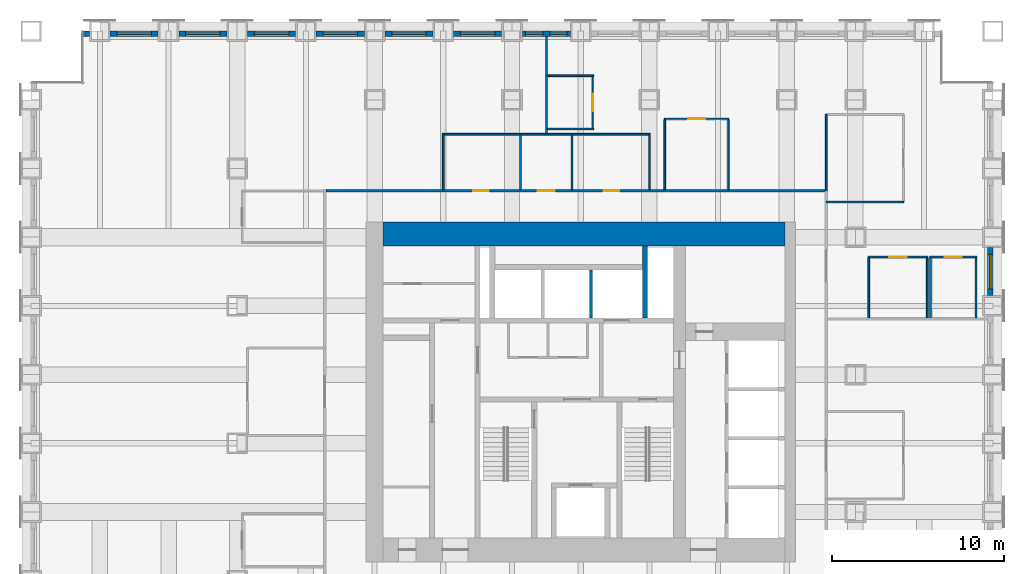
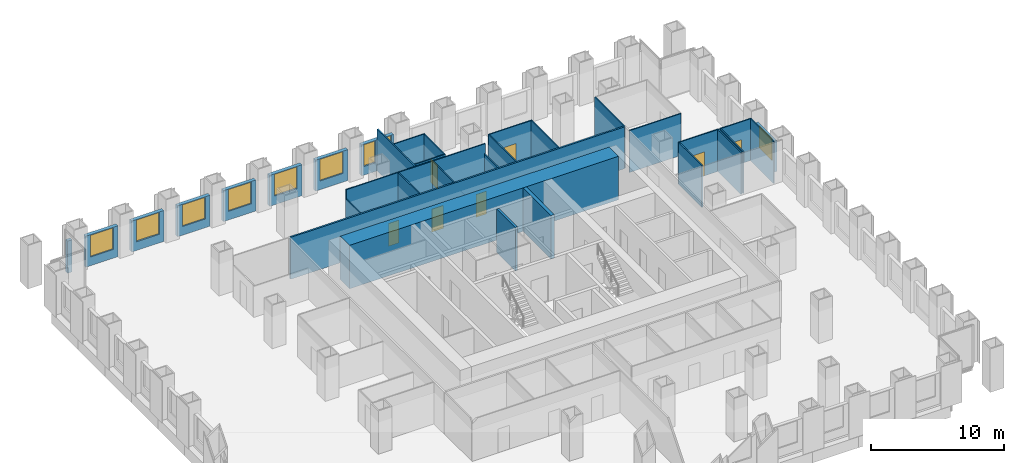
# One storey, part 11 of 14: 33 walls, 9 windows, 7 doors, 16 openings.
"""IFC4 building model written with IfcOpenShell, lengths in metres."""

from ifc_helpers import new_model, si_unit, direction, frame, frame_2d, origin, place, context, subcontext, project, spatial, rectangle, extrude, material, layer, layer_set, type_object, element, fill, save


model = new_model("IFC4")

# Units and contexts
model_context = context("Model", 3, precision=1e-05, world=origin(), true_north=direction((0.0, 1.0)))
body_context = subcontext(model_context, "Body", "Model", "MODEL_VIEW")
ifc_project = project(units=[si_unit("LENGTHUNIT", "METRE"), si_unit("AREAUNIT", "SQUARE_METRE"), si_unit("VOLUMEUNIT", "CUBIC_METRE"), si_unit("PLANEANGLEUNIT", "RADIAN"), si_unit("MASSUNIT", "GRAM", prefix="KILO")], contexts=[model_context])

# Site, building, storey
site_placement = place(None, origin())
site = spatial("IfcSite", under=ifc_project, at=site_placement, CompositionType="ELEMENT")
building_placement = place(site_placement, origin())
building = spatial("IfcBuilding", under=site, at=building_placement, Name="Rimbunsela Tower", CompositionType="ELEMENT")
storey_placement = place(building_placement, frame((0.0, 0.0, 55.0)))
storey = spatial("IfcBuildingStorey", under=building, at=storey_placement, Name="L13", CompositionType="ELEMENT", Elevation=55.0)

# Walls
ifc_material_1 = material(Name="Concrete fc' 80 MPa", Category="concrete")
ifc_layer_1 = layer(ifc_material_1, 0.300048828125)
ifc_layer_set_1 = layer_set([ifc_layer_1], Name="Core internal wall 300")
wall_type_1 = type_object("IfcWallType", Name="Core internal wall 300", PredefinedType="SHEAR", material=ifc_layer_set_1)
wall_1_placement = place(storey_placement, frame((33.75, 31.300048828125, -0.14990234375), z_axis=(0.0, 0.0, 1.0), x_axis=(0.0, 1.0, 0.0)))
element("IfcWall", 1, at=wall_1_placement, inside=storey, type_object=wall_type_1, Name="Riser wall", PredefinedType="SHEAR", context=body_context, shape_type="SweptSolid", body=[
    extrude(rectangle(XDim=4.199951171875, YDim=0.300048828125, at=frame_2d((2.10009765625, 0.0))), origin(), (0.0, 0.0, 1.0), 4.0),
])
ifc_material_2 = material(Name="Concrete fc' 80 MPa", Category="concrete")
ifc_layer_2 = layer(ifc_material_2, 1.39990234375)
ifc_layer_set_2 = layer_set([ifc_layer_2], Name="Core wall 1400")
wall_type_2 = type_object("IfcWallType", Name="Core wall 1400", PredefinedType="SHEAR", material=ifc_layer_set_2)
wall_2_placement = place(storey_placement, frame((18.5, 36.199951171875, -0.14990234375), z_axis=(0.0, 0.0, 1.0), x_axis=(1.0, 0.0, 0.0)))
element("IfcWall", 2, at=wall_2_placement, inside=storey, type_object=wall_type_2, Name="Core wall north", PredefinedType="SHEAR", context=body_context, shape_type="SweptSolid", body=[
    extrude(rectangle(XDim=23.39990234375, YDim=1.39990234375, at=frame_2d((11.699951171875, 0.0))), origin(), (0.0, 0.0, 1.0), 4.0),
])
ifc_material_3 = material(Name="Concrete blockwork", Category="masonry")
ifc_layer_3 = layer(ifc_material_3, 0.199951171875)
ifc_layer_set_3 = layer_set([ifc_layer_3], Name="Lift shaft wall 200")
wall_type_3 = type_object("IfcWallType", Name="Lift shaft wall 200", PredefinedType="SOLIDWALL", material=ifc_layer_set_3)
wall_3_placement = place(storey_placement, frame((30.60009765625, 31.300048828125, -0.14990234375), z_axis=(0.0, 0.0, 1.0), x_axis=(0.0, 1.0, 0.0)))
element("IfcWall", 3, at=wall_3_placement, inside=storey, type_object=wall_type_3, Name="Lift shaft separation", PredefinedType="SOLIDWALL", context=body_context, shape_type="SweptSolid", body=[
    extrude(rectangle(XDim=2.800048828125, YDim=0.199951171875, at=frame_2d((1.39990234375, 0.0))), origin(), (0.0, 0.0, 1.0), 4.0),
])

# Wall, opening, door
ifc_material_4 = material(Name="Gypsum board on steel studs", Category="steel")
ifc_layer_4 = layer(ifc_material_4, 0.10009765625)
ifc_layer_set_4 = layer_set([ifc_layer_4], Name="Office partition 100")
wall_type_4 = type_object("IfcWallType", Name="Office partition 100", PredefinedType="PARTITIONING", material=ifc_layer_set_4)
wall_4_placement = place(storey_placement, frame((46.72509765625, 34.85009765625, 0.0), z_axis=(0.0, 0.0, 1.0), x_axis=(1.0, 0.0, 0.0)))
wall_4 = element("IfcWall", 4, at=wall_4_placement, inside=storey, type_object=wall_type_4, Name="Office partition", PredefinedType="PARTITIONING", context=body_context, shape_type="SweptSolid", body=[
    extrude(rectangle(XDim=3.5, YDim=0.10009765625, at=frame_2d((1.75, 0.0))), origin(), (0.0, 0.0, 1.0), 3.85009765625),
])
opening_1_placement = place(wall_4_placement, frame((1.25, 0.0, 0.0)))
opening_1 = element("IfcOpeningElement", 5, at=opening_1_placement, cuts=wall_4, Name="Opening D16", PredefinedType="OPENING", context=body_context, shape_type="SweptSolid", body=[
    extrude(rectangle(XDim=1.0, YDim=2.199951171875, at=frame_2d((0.5, 1.10009765625))), frame((0.0, 0.06005859375, 0.0), z_axis=(0.0, -1.0, 0.0), x_axis=(1.0, 0.0, 0.0)), (0.0, 0.0, 1.0), 0.1201171875),
])
ifc_material_5 = material(Name="Timber door", Category="wood")
door_type_1 = type_object("IfcDoorType", Name="Office door 1000", OperationType="SINGLE_SWING_LEFT", PredefinedType="DOOR", material=ifc_material_5)
door_1_placement = place(opening_1_placement, origin())
door_1 = element("IfcDoor", 6, at=door_1_placement, inside=storey, type_object=door_type_1, Name="Office door", OperationType="SINGLE_SWING_LEFT", OverallHeight=2.199951171875, OverallWidth=1.0, PredefinedType="DOOR", context=body_context, shape_type="SweptSolid", body=[
    extrude(rectangle(XDim=1.0, YDim=2.199951171875, at=frame_2d((0.5, 1.10009765625))), frame((0.0, 0.02490234375, 0.0), z_axis=(0.0, -1.0, 0.0), x_axis=(1.0, 0.0, 0.0)), (0.0, 0.0, 1.0), 0.050048828125),
])
fill(opening_1, door_1)

wall_5_placement = place(storey_placement, frame((50.324951171875, 34.85009765625, 0.0), z_axis=(0.0, 0.0, 1.0), x_axis=(1.0, 0.0, 0.0)))
wall_5 = element("IfcWall", 7, at=wall_5_placement, inside=storey, type_object=wall_type_4, Name="Office partition", PredefinedType="PARTITIONING", context=body_context, shape_type="SweptSolid", body=[
    extrude(rectangle(XDim=2.75, YDim=0.10009765625, at=frame_2d((1.375, 0.0))), origin(), (0.0, 0.0, 1.0), 3.85009765625),
])
opening_2_placement = place(wall_5_placement, frame((0.875, 0.0, 0.0)))
opening_2 = element("IfcOpeningElement", 8, at=opening_2_placement, cuts=wall_5, Name="Opening D16", PredefinedType="OPENING", context=body_context, shape_type="SweptSolid", body=[
    extrude(rectangle(XDim=1.0, YDim=2.199951171875, at=frame_2d((0.5, 1.10009765625))), frame((0.0, 0.06005859375, 0.0), z_axis=(0.0, -1.0, 0.0), x_axis=(1.0, 0.0, 0.0)), (0.0, 0.0, 1.0), 0.1201171875),
])
door_2_placement = place(opening_2_placement, origin())
door_2 = element("IfcDoor", 9, at=door_2_placement, inside=storey, type_object=door_type_1, Name="Office door", OperationType="SINGLE_SWING_LEFT", OverallHeight=2.199951171875, OverallWidth=1.0, PredefinedType="DOOR", context=body_context, shape_type="SweptSolid", body=[
    extrude(rectangle(XDim=1.0, YDim=2.199951171875, at=frame_2d((0.5, 1.10009765625))), frame((0.0, 0.02490234375, 0.0), z_axis=(0.0, -1.0, 0.0), x_axis=(1.0, 0.0, 0.0)), (0.0, 0.0, 1.0), 0.050048828125),
])
fill(opening_2, door_2)

# Wall
wall_6_placement = place(storey_placement, frame((28.06005859375, 42.300048828125, 0.0), z_axis=(0.0, 0.0, 1.0), x_axis=(1.0, 0.0, 0.0)))
element("IfcWall", 10, at=wall_6_placement, inside=storey, type_object=wall_type_4, Name="Office partition", PredefinedType="PARTITIONING", context=body_context, shape_type="SweptSolid", body=[
    extrude(rectangle(XDim=2.68994140625, YDim=0.10009765625, at=frame_2d((1.344970703125, 0.0))), origin(), (0.0, 0.0, 1.0), 3.85009765625),
])

# Wall, opening, door
wall_7_placement = place(storey_placement, frame((34.85009765625, 42.89990234375, 0.0), z_axis=(0.0, 0.0, 1.0), x_axis=(1.0, 0.0, 0.0)))
wall_7 = element("IfcWall", 11, at=wall_7_placement, inside=storey, type_object=wall_type_4, Name="Office partition", PredefinedType="PARTITIONING", context=body_context, shape_type="SweptSolid", body=[
    extrude(rectangle(XDim=3.7998046875, YDim=0.10009765625, at=frame_2d((1.89990234375, 0.0))), origin(), (0.0, 0.0, 1.0), 3.85009765625),
])
opening_3_placement = place(wall_7_placement, frame((1.39990234375, 0.0, 0.0)))
opening_3 = element("IfcOpeningElement", 12, at=opening_3_placement, cuts=wall_7, Name="Opening D17", PredefinedType="OPENING", context=body_context, shape_type="SweptSolid", body=[
    extrude(rectangle(XDim=1.0, YDim=2.199951171875, at=frame_2d((0.5, 1.10009765625))), frame((0.0, 0.06005859375, 0.0), z_axis=(0.0, -1.0, 0.0), x_axis=(1.0, 0.0, 0.0)), (0.0, 0.0, 1.0), 0.1201171875),
])
ifc_material_6 = material(Name="Glazed aluminium door", Category="aluminium")
door_type_2 = type_object("IfcDoorType", Name="Meeting room door 1000 glazed", OperationType="SINGLE_SWING_RIGHT", PredefinedType="DOOR", material=ifc_material_6)
door_3_placement = place(opening_3_placement, origin())
door_3 = element("IfcDoor", 13, at=door_3_placement, inside=storey, type_object=door_type_2, Name="Meeting room door", OperationType="SINGLE_SWING_RIGHT", OverallHeight=2.199951171875, OverallWidth=1.0, PredefinedType="DOOR", context=body_context, shape_type="SweptSolid", body=[
    extrude(rectangle(XDim=1.0, YDim=2.199951171875, at=frame_2d((0.5, 1.10009765625))), frame((0.0, 0.02490234375, 0.0), z_axis=(0.0, -1.0, 0.0), x_axis=(1.0, 0.0, 0.0)), (0.0, 0.0, 1.0), 0.050048828125),
])
fill(opening_3, door_3)

# Wall
wall_8_placement = place(storey_placement, frame((28.06005859375, 45.39990234375, 0.0), z_axis=(0.0, 0.0, 1.0), x_axis=(1.0, 0.0, 0.0)))
element("IfcWall", 14, at=wall_8_placement, inside=storey, type_object=wall_type_4, Name="Office partition", PredefinedType="PARTITIONING", context=body_context, shape_type="SweptSolid", body=[
    extrude(rectangle(XDim=2.68994140625, YDim=0.10009765625, at=frame_2d((1.344970703125, 0.0))), origin(), (0.0, 0.0, 1.0), 3.85009765625),
])

# Wall, opening, door
wall_9_placement = place(storey_placement, frame((30.699951171875, 42.35009765625, 0.0), z_axis=(0.0, 0.0, 1.0), x_axis=(0.0, 1.0, 0.0)))
wall_9 = element("IfcWall", 15, at=wall_9_placement, inside=storey, type_object=wall_type_4, Name="Office partition", PredefinedType="PARTITIONING", context=body_context, shape_type="SweptSolid", body=[
    extrude(rectangle(XDim=3.0, YDim=0.10009765625, at=frame_2d((1.5, 0.0))), origin(), (0.0, 0.0, 1.0), 3.85009765625),
])
opening_4_placement = place(wall_9_placement, frame((1.0, 0.0, 0.0)))
opening_4 = element("IfcOpeningElement", 16, at=opening_4_placement, cuts=wall_9, Name="Opening D16", PredefinedType="OPENING", context=body_context, shape_type="SweptSolid", body=[
    extrude(rectangle(XDim=1.0, YDim=2.199951171875, at=frame_2d((0.5, 1.10009765625))), frame((0.0, 0.06005859375, 0.0), z_axis=(0.0, -1.0, 0.0), x_axis=(1.0, 0.0, 0.0)), (0.0, 0.0, 1.0), 0.1201171875),
])
door_4_placement = place(opening_4_placement, origin())
door_4 = element("IfcDoor", 17, at=door_4_placement, inside=storey, type_object=door_type_1, Name="Office door", OperationType="SINGLE_SWING_LEFT", OverallHeight=2.199951171875, OverallWidth=1.0, PredefinedType="DOOR", context=body_context, shape_type="SweptSolid", body=[
    extrude(rectangle(XDim=1.0, YDim=2.199951171875, at=frame_2d((0.5, 1.10009765625))), frame((0.0, 0.02490234375, 0.0), z_axis=(0.0, -1.0, 0.0), x_axis=(1.0, 0.0, 0.0)), (0.0, 0.0, 1.0), 0.050048828125),
])
fill(opening_4, door_4)

# Walls
for number, where, z_axis, x_axis, name in (
    (18, (34.89990234375, 38.77490234375, 0.0), (0.0, 0.0, 1.0), (0.0, 1.0, 0.0), "Office partition"),
    (19, (38.60009765625, 38.77490234375, 0.0), (0.0, 0.0, 1.0), (0.0, 1.0, 0.0), "Office partition"),
):
    element("IfcWall", number, at=place(storey_placement, frame(where, z_axis=z_axis, x_axis=x_axis)), inside=storey, type_object=wall_type_4, Name=name, PredefinedType="PARTITIONING", context=body_context, shape_type="SweptSolid", body=[
        extrude(rectangle(XDim=4.0751953125, YDim=0.10009765625, at=frame_2d((2.03759765625, 0.0))), origin(), (0.0, 0.0, 1.0), 3.85009765625),
    ])
for number, where, z_axis, x_axis, name in (
    (20, (46.77490234375, 31.31005859375, 0.0), (0.0, 0.0, 1.0), (0.0, 1.0, 0.0), "Office partition"),
    (21, (50.175048828125, 31.31005859375, 0.0), (0.0, 0.0, 1.0), (0.0, 1.0, 0.0), "Office partition"),
    (22, (50.375, 31.31005859375, 0.0), (0.0, 0.0, 1.0), (0.0, 1.0, 0.0), "Office partition"),
    (23, (53.02490234375, 31.31005859375, 0.0), (0.0, 0.0, 1.0), (0.0, 1.0, 0.0), "Office partition"),
):
    element("IfcWall", number, at=place(storey_placement, frame(where, z_axis=z_axis, x_axis=x_axis)), inside=storey, type_object=wall_type_4, Name=name, PredefinedType="PARTITIONING", context=body_context, shape_type="SweptSolid", body=[
        extrude(rectangle(XDim=3.489990234375, YDim=0.10009765625, at=frame_2d((1.7451171875, 0.0))), origin(), (0.0, 0.0, 1.0), 3.85009765625),
    ])
wall_10_placement = place(storey_placement, frame((44.300048828125, 38.050048828125, 0.0), z_axis=(0.0, 0.0, 1.0), x_axis=(1.0, 0.0, 0.0)))
element("IfcWall", 24, at=wall_10_placement, inside=storey, type_object=wall_type_4, Name="Office partition", PredefinedType="PARTITIONING", context=body_context, shape_type="SweptSolid", body=[
    extrude(rectangle(XDim=4.5, YDim=0.10009765625, at=frame_2d((2.25, 0.0))), origin(), (0.0, 0.0, 1.0), 3.85009765625),
])
wall_11_placement = place(storey_placement, frame((44.300048828125, 43.14990234375, 0.0), z_axis=(0.0, 0.0, 1.0), x_axis=(0.0, -1.0, 0.0)))
element("IfcWall", 25, at=wall_11_placement, inside=storey, type_object=wall_type_4, Name="Office partition", PredefinedType="PARTITIONING", context=body_context, shape_type="SweptSolid", body=[
    extrude(rectangle(XDim=4.449951171875, YDim=0.10009765625, at=frame_2d((2.22509765625, 0.0))), origin(), (0.0, 0.0, 1.0), 3.85009765625),
])

# Wall, opening, window
ifc_material_7 = material(Name="Precast concrete fc' 35 MPa", Category="concrete")
ifc_layer_5 = layer(ifc_material_7, 0.300048828125)
ifc_layer_set_5 = layer_set([ifc_layer_5], Name="Precast concrete fc' 35 MPa")
wall_type_5 = type_object("IfcWallType", Name="Precast facade panel 300", PredefinedType="ELEMENTEDWALL", material=ifc_layer_set_5)
wall_12_placement = place(storey_placement, frame((53.85009765625, 32.60009765625, 0.0), z_axis=(0.0, 0.0, 1.0), x_axis=(0.0, 1.0, 0.0)))
wall_12 = element("IfcWall", 26, at=wall_12_placement, inside=storey, type_object=wall_type_5, Name="Facade panel E L13", PredefinedType="ELEMENTEDWALL", context=body_context, shape_type="SweptSolid", body=[
    extrude(rectangle(XDim=2.7998046875, YDim=0.300048828125, at=frame_2d((1.39990234375, 0.0))), origin(), (0.0, 0.0, 1.0), 2.85009765625),
])
opening_5_placement = place(wall_12_placement, frame((0.39990234375, 0.0, 0.800048828125)))
opening_5 = element("IfcOpeningElement", 27, at=opening_5_placement, cuts=wall_12, Name="Opening W1", PredefinedType="OPENING", context=body_context, shape_type="SweptSolid", body=[
    extrude(rectangle(XDim=2.0, YDim=2.0, at=frame_2d((1.0, 1.0))), frame((0.0, 0.159912109375, 0.0), z_axis=(0.0, -1.0, 0.0), x_axis=(1.0, 0.0, 0.0)), (0.0, 0.0, 1.0), 0.320068359375),
])
ifc_material_8 = material(Name="Clear glass in aluminium frame", Category="aluminium")
window_type_1 = type_object("IfcWindowType", Name="Window W1 2000x2000", PartitioningType="DOUBLE_PANEL_VERTICAL", PredefinedType="WINDOW", material=ifc_material_8)
window_1_placement = place(opening_5_placement, origin())
window_1 = element("IfcWindow", 28, at=window_1_placement, inside=storey, type_object=window_type_1, Name="Window L13", OverallHeight=2.0, OverallWidth=2.0, PartitioningType="SINGLE_PANEL", PredefinedType="WINDOW", context=body_context, shape_type="SweptSolid", body=[
    extrude(rectangle(XDim=2.0, YDim=2.0, at=frame_2d((1.0, 1.0))), frame((0.0, 0.030029296875, 0.0), z_axis=(0.0, -1.0, 0.0), x_axis=(1.0, 0.0, 0.0)), (0.0, 0.0, 1.0), 0.06005859375),
])
fill(opening_5, window_1)

# Wall
wall_13_placement = place(storey_placement, frame((1.39990234375, 47.85009765625, 0.0), z_axis=(0.0, 0.0, 1.0), x_axis=(-1.0, 0.0, 0.0)))
element("IfcWall", 29, at=wall_13_placement, inside=storey, type_object=wall_type_5, Name="Facade panel N L13", PredefinedType="ELEMENTEDWALL", context=body_context, shape_type="SweptSolid", body=[
    extrude(rectangle(XDim=0.369873046875, YDim=0.300048828125, at=frame_2d((0.18505859375, 0.0))), origin(), (0.0, 0.0, 1.0), 2.949951171875),
])

# Wall, opening, window
wall_14_placement = place(storey_placement, frame((5.39990234375, 47.85009765625, 0.0), z_axis=(0.0, 0.0, 1.0), x_axis=(-1.0, 0.0, 0.0)))
wall_14 = element("IfcWall", 30, at=wall_14_placement, inside=storey, type_object=wall_type_5, Name="Facade panel N L13", PredefinedType="ELEMENTEDWALL", context=body_context, shape_type="SweptSolid", body=[
    extrude(rectangle(XDim=2.7998046875, YDim=0.300048828125, at=frame_2d((1.39990234375, 0.0))), origin(), (0.0, 0.0, 1.0), 2.85009765625),
])
opening_6_placement = place(wall_14_placement, frame((0.39990234375, 0.0, 0.800048828125)))
opening_6 = element("IfcOpeningElement", 31, at=opening_6_placement, cuts=wall_14, Name="Opening W1", PredefinedType="OPENING", context=body_context, shape_type="SweptSolid", body=[
    extrude(rectangle(XDim=2.0, YDim=2.0, at=frame_2d((1.0, 1.0))), frame((0.0, 0.159912109375, 0.0), z_axis=(0.0, -1.0, 0.0), x_axis=(1.0, 0.0, 0.0)), (0.0, 0.0, 1.0), 0.320068359375),
])
window_2_placement = place(opening_6_placement, origin())
window_2 = element("IfcWindow", 32, at=window_2_placement, inside=storey, type_object=window_type_1, Name="Window L13", OverallHeight=2.0, OverallWidth=2.0, PartitioningType="SINGLE_PANEL", PredefinedType="WINDOW", context=body_context, shape_type="SweptSolid", body=[
    extrude(rectangle(XDim=2.0, YDim=2.0, at=frame_2d((1.0, 1.0))), frame((0.0, 0.030029296875, 0.0), z_axis=(0.0, -1.0, 0.0), x_axis=(1.0, 0.0, 0.0)), (0.0, 0.0, 1.0), 0.06005859375),
])
fill(opening_6, window_2)

wall_15_placement = place(storey_placement, frame((9.39990234375, 47.85009765625, 0.0), z_axis=(0.0, 0.0, 1.0), x_axis=(-1.0, 0.0, 0.0)))
wall_15 = element("IfcWall", 33, at=wall_15_placement, inside=storey, type_object=wall_type_5, Name="Facade panel N L13", PredefinedType="ELEMENTEDWALL", context=body_context, shape_type="SweptSolid", body=[
    extrude(rectangle(XDim=2.7998046875, YDim=0.300048828125, at=frame_2d((1.39990234375, 0.0))), origin(), (0.0, 0.0, 1.0), 2.85009765625),
])
opening_7_placement = place(wall_15_placement, frame((0.39990234375, 0.0, 0.800048828125)))
opening_7 = element("IfcOpeningElement", 34, at=opening_7_placement, cuts=wall_15, Name="Opening W1", PredefinedType="OPENING", context=body_context, shape_type="SweptSolid", body=[
    extrude(rectangle(XDim=2.0, YDim=2.0, at=frame_2d((1.0, 1.0))), frame((0.0, 0.159912109375, 0.0), z_axis=(0.0, -1.0, 0.0), x_axis=(1.0, 0.0, 0.0)), (0.0, 0.0, 1.0), 0.320068359375),
])
window_3_placement = place(opening_7_placement, origin())
window_3 = element("IfcWindow", 35, at=window_3_placement, inside=storey, type_object=window_type_1, Name="Window L13", OverallHeight=2.0, OverallWidth=2.0, PartitioningType="SINGLE_PANEL", PredefinedType="WINDOW", context=body_context, shape_type="SweptSolid", body=[
    extrude(rectangle(XDim=2.0, YDim=2.0, at=frame_2d((1.0, 1.0))), frame((0.0, 0.030029296875, 0.0), z_axis=(0.0, -1.0, 0.0), x_axis=(1.0, 0.0, 0.0)), (0.0, 0.0, 1.0), 0.06005859375),
])
fill(opening_7, window_3)

wall_16_placement = place(storey_placement, frame((13.39990234375, 47.85009765625, 0.0), z_axis=(0.0, 0.0, 1.0), x_axis=(-1.0, 0.0, 0.0)))
wall_16 = element("IfcWall", 36, at=wall_16_placement, inside=storey, type_object=wall_type_5, Name="Facade panel N L13", PredefinedType="ELEMENTEDWALL", context=body_context, shape_type="SweptSolid", body=[
    extrude(rectangle(XDim=2.7998046875, YDim=0.300048828125, at=frame_2d((1.39990234375, 0.0))), origin(), (0.0, 0.0, 1.0), 2.85009765625),
])
opening_8_placement = place(wall_16_placement, frame((0.39990234375, 0.0, 0.800048828125)))
opening_8 = element("IfcOpeningElement", 37, at=opening_8_placement, cuts=wall_16, Name="Opening W1", PredefinedType="OPENING", context=body_context, shape_type="SweptSolid", body=[
    extrude(rectangle(XDim=2.0, YDim=2.0, at=frame_2d((1.0, 1.0))), frame((0.0, 0.159912109375, 0.0), z_axis=(0.0, -1.0, 0.0), x_axis=(1.0, 0.0, 0.0)), (0.0, 0.0, 1.0), 0.320068359375),
])
window_4_placement = place(opening_8_placement, origin())
window_4 = element("IfcWindow", 38, at=window_4_placement, inside=storey, type_object=window_type_1, Name="Window L13", OverallHeight=2.0, OverallWidth=2.0, PartitioningType="SINGLE_PANEL", PredefinedType="WINDOW", context=body_context, shape_type="SweptSolid", body=[
    extrude(rectangle(XDim=2.0, YDim=2.0, at=frame_2d((1.0, 1.0))), frame((0.0, 0.030029296875, 0.0), z_axis=(0.0, -1.0, 0.0), x_axis=(1.0, 0.0, 0.0)), (0.0, 0.0, 1.0), 0.06005859375),
])
fill(opening_8, window_4)

wall_17_placement = place(storey_placement, frame((17.39990234375, 47.85009765625, 0.0), z_axis=(0.0, 0.0, 1.0), x_axis=(-1.0, 0.0, 0.0)))
wall_17 = element("IfcWall", 39, at=wall_17_placement, inside=storey, type_object=wall_type_5, Name="Facade panel N L13", PredefinedType="ELEMENTEDWALL", context=body_context, shape_type="SweptSolid", body=[
    extrude(rectangle(XDim=2.7998046875, YDim=0.300048828125, at=frame_2d((1.39990234375, 0.0))), origin(), (0.0, 0.0, 1.0), 2.85009765625),
])
opening_9_placement = place(wall_17_placement, frame((0.39990234375, 0.0, 0.800048828125)))
opening_9 = element("IfcOpeningElement", 40, at=opening_9_placement, cuts=wall_17, Name="Opening W1", PredefinedType="OPENING", context=body_context, shape_type="SweptSolid", body=[
    extrude(rectangle(XDim=2.0, YDim=2.0, at=frame_2d((1.0, 1.0))), frame((0.0, 0.159912109375, 0.0), z_axis=(0.0, -1.0, 0.0), x_axis=(1.0, 0.0, 0.0)), (0.0, 0.0, 1.0), 0.320068359375),
])
window_5_placement = place(opening_9_placement, origin())
window_5 = element("IfcWindow", 41, at=window_5_placement, inside=storey, type_object=window_type_1, Name="Window L13", OverallHeight=2.0, OverallWidth=2.0, PartitioningType="SINGLE_PANEL", PredefinedType="WINDOW", context=body_context, shape_type="SweptSolid", body=[
    extrude(rectangle(XDim=2.0, YDim=2.0, at=frame_2d((1.0, 1.0))), frame((0.0, 0.030029296875, 0.0), z_axis=(0.0, -1.0, 0.0), x_axis=(1.0, 0.0, 0.0)), (0.0, 0.0, 1.0), 0.06005859375),
])
fill(opening_9, window_5)

wall_18_placement = place(storey_placement, frame((21.39990234375, 47.85009765625, 0.0), z_axis=(0.0, 0.0, 1.0), x_axis=(-1.0, 0.0, 0.0)))
wall_18 = element("IfcWall", 42, at=wall_18_placement, inside=storey, type_object=wall_type_5, Name="Facade panel N L13", PredefinedType="ELEMENTEDWALL", context=body_context, shape_type="SweptSolid", body=[
    extrude(rectangle(XDim=2.7998046875, YDim=0.300048828125, at=frame_2d((1.39990234375, 0.0))), origin(), (0.0, 0.0, 1.0), 2.85009765625),
])
opening_10_placement = place(wall_18_placement, frame((0.39990234375, 0.0, 0.800048828125)))
opening_10 = element("IfcOpeningElement", 43, at=opening_10_placement, cuts=wall_18, Name="Opening W1", PredefinedType="OPENING", context=body_context, shape_type="SweptSolid", body=[
    extrude(rectangle(XDim=2.0, YDim=2.0, at=frame_2d((1.0, 1.0))), frame((0.0, 0.159912109375, 0.0), z_axis=(0.0, -1.0, 0.0), x_axis=(1.0, 0.0, 0.0)), (0.0, 0.0, 1.0), 0.320068359375),
])
window_6_placement = place(opening_10_placement, origin())
window_6 = element("IfcWindow", 44, at=window_6_placement, inside=storey, type_object=window_type_1, Name="Window L13", OverallHeight=2.0, OverallWidth=2.0, PartitioningType="SINGLE_PANEL", PredefinedType="WINDOW", context=body_context, shape_type="SweptSolid", body=[
    extrude(rectangle(XDim=2.0, YDim=2.0, at=frame_2d((1.0, 1.0))), frame((0.0, 0.030029296875, 0.0), z_axis=(0.0, -1.0, 0.0), x_axis=(1.0, 0.0, 0.0)), (0.0, 0.0, 1.0), 0.06005859375),
])
fill(opening_10, window_6)

wall_19_placement = place(storey_placement, frame((25.39990234375, 47.85009765625, 0.0), z_axis=(0.0, 0.0, 1.0), x_axis=(-1.0, 0.0, 0.0)))
wall_19 = element("IfcWall", 45, at=wall_19_placement, inside=storey, type_object=wall_type_5, Name="Facade panel N L13", PredefinedType="ELEMENTEDWALL", context=body_context, shape_type="SweptSolid", body=[
    extrude(rectangle(XDim=2.7998046875, YDim=0.300048828125, at=frame_2d((1.39990234375, 0.0))), origin(), (0.0, 0.0, 1.0), 2.85009765625),
])
opening_11_placement = place(wall_19_placement, frame((0.39990234375, 0.0, 0.800048828125)))
opening_11 = element("IfcOpeningElement", 46, at=opening_11_placement, cuts=wall_19, Name="Opening W1", PredefinedType="OPENING", context=body_context, shape_type="SweptSolid", body=[
    extrude(rectangle(XDim=2.0, YDim=2.0, at=frame_2d((1.0, 1.0))), frame((0.0, 0.159912109375, 0.0), z_axis=(0.0, -1.0, 0.0), x_axis=(1.0, 0.0, 0.0)), (0.0, 0.0, 1.0), 0.320068359375),
])
window_7_placement = place(opening_11_placement, origin())
window_7 = element("IfcWindow", 47, at=window_7_placement, inside=storey, type_object=window_type_1, Name="Window L13", OverallHeight=2.0, OverallWidth=2.0, PartitioningType="SINGLE_PANEL", PredefinedType="WINDOW", context=body_context, shape_type="SweptSolid", body=[
    extrude(rectangle(XDim=2.0, YDim=2.0, at=frame_2d((1.0, 1.0))), frame((0.0, 0.030029296875, 0.0), z_axis=(0.0, -1.0, 0.0), x_axis=(1.0, 0.0, 0.0)), (0.0, 0.0, 1.0), 0.06005859375),
])
fill(opening_11, window_7)

# Wall, openings, windows
wall_20_placement = place(storey_placement, frame((29.39990234375, 47.85009765625, 0.0), z_axis=(0.0, 0.0, 1.0), x_axis=(-1.0, 0.0, 0.0)))
wall_20 = element("IfcWall", 48, at=wall_20_placement, inside=storey, type_object=wall_type_5, Name="Facade panel N L13", PredefinedType="ELEMENTEDWALL", context=body_context, shape_type="SweptSolid", body=[
    extrude(rectangle(XDim=2.7998046875, YDim=0.300048828125, at=frame_2d((1.39990234375, 0.0))), origin(), (0.0, 0.0, 1.0), 2.85009765625),
])
opening_12_placement = place(wall_20_placement, frame((1.60009765625, 0.0, 0.800048828125)))
opening_12 = element("IfcOpeningElement", 49, at=opening_12_placement, cuts=wall_20, Name="Opening W5", PredefinedType="OPENING", context=body_context, shape_type="SweptSolid", body=[
    extrude(rectangle(XDim=1.0, YDim=2.0, at=frame_2d((0.5, 1.0))), frame((0.0, 0.159912109375, 0.0), z_axis=(0.0, -1.0, 0.0), x_axis=(1.0, 0.0, 0.0)), (0.0, 0.0, 1.0), 0.320068359375),
])
opening_13_placement = place(wall_20_placement, frame((0.199951171875, 0.0, 0.800048828125)))
opening_13 = element("IfcOpeningElement", 50, at=opening_13_placement, cuts=wall_20, Name="Opening W5", PredefinedType="OPENING", context=body_context, shape_type="SweptSolid", body=[
    extrude(rectangle(XDim=1.0, YDim=2.0, at=frame_2d((0.5, 1.0))), frame((0.0, 0.159912109375, 0.0), z_axis=(0.0, -1.0, 0.0), x_axis=(1.0, 0.0, 0.0)), (0.0, 0.0, 1.0), 0.320068359375),
])
ifc_material_9 = material(Name="Clear glass in aluminium frame", Category="aluminium")
window_type_2 = type_object("IfcWindowType", Name="Window W5 1000x2000", PartitioningType="SINGLE_PANEL", PredefinedType="WINDOW", material=ifc_material_9)
window_8_placement = place(opening_12_placement, origin())
window_8 = element("IfcWindow", 51, at=window_8_placement, inside=storey, type_object=window_type_2, Name="Window L13", OverallHeight=2.0, OverallWidth=1.0, PartitioningType="SINGLE_PANEL", PredefinedType="WINDOW", context=body_context, shape_type="SweptSolid", body=[
    extrude(rectangle(XDim=1.0, YDim=2.0, at=frame_2d((0.5, 1.0))), frame((0.0, 0.030029296875, 0.0), z_axis=(0.0, -1.0, 0.0), x_axis=(1.0, 0.0, 0.0)), (0.0, 0.0, 1.0), 0.06005859375),
])
fill(opening_12, window_8)
window_9_placement = place(opening_13_placement, origin())
window_9 = element("IfcWindow", 52, at=window_9_placement, inside=storey, type_object=window_type_2, Name="Window L13", OverallHeight=2.0, OverallWidth=1.0, PartitioningType="SINGLE_PANEL", PredefinedType="WINDOW", context=body_context, shape_type="SweptSolid", body=[
    extrude(rectangle(XDim=1.0, YDim=2.0, at=frame_2d((0.5, 1.0))), frame((0.0, 0.030029296875, 0.0), z_axis=(0.0, -1.0, 0.0), x_axis=(1.0, 0.0, 0.0)), (0.0, 0.0, 1.0), 0.06005859375),
])
fill(opening_13, window_9)

# Wall, openings, doors
ifc_material_10 = material(Name="Fire-rated gypsum board on steel studs, EI 60", Category="steel")
ifc_layer_6 = layer(ifc_material_10, 0.14990234375)
ifc_layer_set_6 = layer_set([ifc_layer_6], Name="Rated corridor wall 150")
wall_type_6 = type_object("IfcWallType", Name="Rated corridor wall 150", PredefinedType="PARTITIONING", material=ifc_layer_set_6)
wall_21_placement = place(storey_placement, frame((15.175048828125, 38.699951171875, 0.0), z_axis=(0.0, 0.0, 1.0), x_axis=(1.0, 0.0, 0.0)))
wall_21 = element("IfcWall", 53, at=wall_21_placement, inside=storey, type_object=wall_type_6, Name="Corridor wall north", PredefinedType="PARTITIONING", context=body_context, shape_type="SweptSolid", body=[
    extrude(rectangle(XDim=29.050048828125, YDim=0.14990234375, at=frame_2d((14.52490234375, 0.0))), origin(), (0.0, 0.0, 1.0), 3.85009765625),
])
opening_14_placement = place(wall_21_placement, frame((8.574951171875, 0.0, 0.0)))
opening_14 = element("IfcOpeningElement", 54, at=opening_14_placement, cuts=wall_21, Name="Opening D04", PredefinedType="OPENING", context=body_context, shape_type="SweptSolid", body=[
    extrude(rectangle(XDim=0.89990234375, YDim=2.10009765625, at=frame_2d((0.449951171875, 1.050048828125))), frame((0.0, 0.0849609375, 0.0), z_axis=(0.0, -1.0, 0.0), x_axis=(1.0, 0.0, 0.0)), (0.0, 0.0, 1.0), 0.169921875),
])
opening_15_placement = place(wall_21_placement, frame((12.324951171875, 0.0, 0.0)))
opening_15 = element("IfcOpeningElement", 55, at=opening_15_placement, cuts=wall_21, Name="Opening D05", PredefinedType="OPENING", context=body_context, shape_type="SweptSolid", body=[
    extrude(rectangle(XDim=1.0, YDim=2.10009765625, at=frame_2d((0.5, 1.050048828125))), frame((0.0, 0.0849609375, 0.0), z_axis=(0.0, -1.0, 0.0), x_axis=(1.0, 0.0, 0.0)), (0.0, 0.0, 1.0), 0.169921875),
])
opening_16_placement = place(wall_21_placement, frame((16.175048828125, 0.0, 0.0)))
opening_16 = element("IfcOpeningElement", 56, at=opening_16_placement, cuts=wall_21, Name="Opening D04", PredefinedType="OPENING", context=body_context, shape_type="SweptSolid", body=[
    extrude(rectangle(XDim=0.89990234375, YDim=2.10009765625, at=frame_2d((0.449951171875, 1.050048828125))), frame((0.0, 0.0849609375, 0.0), z_axis=(0.0, -1.0, 0.0), x_axis=(1.0, 0.0, 0.0)), (0.0, 0.0, 1.0), 0.169921875),
])
ifc_material_11 = material(Name="Timber door", Category="wood")
door_type_3 = type_object("IfcDoorType", Name="Accessible WC door 1000", OperationType="SLIDING_TO_LEFT", PredefinedType="DOOR", material=ifc_material_11)
door_5_placement = place(opening_15_placement, origin())
door_5 = element("IfcDoor", 57, at=door_5_placement, inside=storey, type_object=door_type_3, Name="Accessible WC door", OperationType="SLIDING_TO_LEFT", OverallHeight=2.10009765625, OverallWidth=1.0, PredefinedType="DOOR", context=body_context, shape_type="SweptSolid", body=[
    extrude(rectangle(XDim=1.0, YDim=2.10009765625, at=frame_2d((0.5, 1.050048828125))), frame((0.0, 0.02490234375, 0.0), z_axis=(0.0, -1.0, 0.0), x_axis=(1.0, 0.0, 0.0)), (0.0, 0.0, 1.0), 0.050048828125),
])
fill(opening_15, door_5)
ifc_material_12 = material(Name="Timber door", Category="wood")
door_type_4 = type_object("IfcDoorType", Name="Toilet door 900", OperationType="SINGLE_SWING_LEFT", PredefinedType="DOOR", material=ifc_material_12)
door_6_placement = place(opening_14_placement, origin())
door_6 = element("IfcDoor", 58, at=door_6_placement, inside=storey, type_object=door_type_4, Name="Female WC door", OperationType="SINGLE_SWING_LEFT", OverallHeight=2.10009765625, OverallWidth=0.89990234375, PredefinedType="DOOR", context=body_context, shape_type="SweptSolid", body=[
    extrude(rectangle(XDim=0.89990234375, YDim=2.10009765625, at=frame_2d((0.449951171875, 1.050048828125))), frame((0.0, 0.02490234375, 0.0), z_axis=(0.0, -1.0, 0.0), x_axis=(1.0, 0.0, 0.0)), (0.0, 0.0, 1.0), 0.050048828125),
])
fill(opening_14, door_6)
door_7_placement = place(opening_16_placement, origin())
door_7 = element("IfcDoor", 59, at=door_7_placement, inside=storey, type_object=door_type_4, Name="Male WC door", OperationType="SINGLE_SWING_LEFT", OverallHeight=2.10009765625, OverallWidth=0.89990234375, PredefinedType="DOOR", context=body_context, shape_type="SweptSolid", body=[
    extrude(rectangle(XDim=0.89990234375, YDim=2.10009765625, at=frame_2d((0.449951171875, 1.050048828125))), frame((0.0, 0.02490234375, 0.0), z_axis=(0.0, -1.0, 0.0), x_axis=(1.0, 0.0, 0.0)), (0.0, 0.0, 1.0), 0.050048828125),
])
fill(opening_16, door_7)

# Walls
ifc_material_13 = material(Name="Gypsum board on steel studs", Category="steel")
ifc_layer_7 = layer(ifc_material_13, 0.1201171875)
ifc_layer_set_7 = layer_set([ifc_layer_7], Name="Tenancy partition 120")
wall_type_7 = type_object("IfcWallType", Name="Tenancy partition 120", PredefinedType="PARTITIONING", material=ifc_layer_set_7)
wall_22_placement = place(storey_placement, frame((28.0, 42.050048828125, 0.0), z_axis=(0.0, 0.0, 1.0), x_axis=(0.0, 1.0, 0.0)))
element("IfcWall", 60, at=wall_22_placement, inside=storey, type_object=wall_type_7, Name="Tenancy partition north", PredefinedType="PARTITIONING", context=body_context, shape_type="SweptSolid", body=[
    extrude(rectangle(XDim=5.64990234375, YDim=0.1201171875, at=frame_2d((2.824951171875, 0.0))), origin(), (0.0, 0.0, 1.0), 3.85009765625),
])
ifc_material_14 = material(Name="Concrete blockwork", Category="masonry")
ifc_layer_8 = layer(ifc_material_14, 0.10009765625)
ifc_layer_set_8 = layer_set([ifc_layer_8], Name="Toilet partition 100")
wall_type_8 = type_object("IfcWallType", Name="Toilet partition 100", PredefinedType="PARTITIONING", material=ifc_layer_set_8)
for number, where, z_axis, x_axis, name in (
    (61, (22.0, 38.77490234375, 0.0), (0.0, 0.0, 1.0), (0.0, 1.0, 0.0), "Toilet block wall west"),
    (62, (34.0, 38.77490234375, 0.0), (0.0, 0.0, 1.0), (0.0, 1.0, 0.0), "Toilet block wall east"),
):
    element("IfcWall", number, at=place(storey_placement, frame(where, z_axis=z_axis, x_axis=x_axis)), inside=storey, type_object=wall_type_8, Name=name, PredefinedType="PARTITIONING", context=body_context, shape_type="SweptSolid", body=[
        extrude(rectangle(XDim=3.275146484375, YDim=0.10009765625, at=frame_2d((1.6376953125, 0.0))), origin(), (0.0, 0.0, 1.0), 2.949951171875),
    ])
wall_23_placement = place(storey_placement, frame((21.949951171875, 42.0, 0.0), z_axis=(0.0, 0.0, 1.0), x_axis=(1.0, 0.0, 0.0)))
element("IfcWall", 63, at=wall_23_placement, inside=storey, type_object=wall_type_8, Name="Toilet block wall north", PredefinedType="PARTITIONING", context=body_context, shape_type="SweptSolid", body=[
    extrude(rectangle(XDim=12.10009765625, YDim=0.10009765625, at=frame_2d((6.050048828125, 0.0))), origin(), (0.0, 0.0, 1.0), 3.85009765625),
])
for number, where, z_axis, x_axis, name in (
    (64, (26.5, 38.77490234375, 0.0), (0.0, 0.0, 1.0), (0.0, 1.0, 0.0), "Toilet partition"),
    (65, (29.5, 38.77490234375, 0.0), (0.0, 0.0, 1.0), (0.0, 1.0, 0.0), "Toilet partition"),
):
    element("IfcWall", number, at=place(storey_placement, frame(where, z_axis=z_axis, x_axis=x_axis)), inside=storey, type_object=wall_type_8, Name=name, PredefinedType="PARTITIONING", context=body_context, shape_type="SweptSolid", body=[
        extrude(rectangle(XDim=3.175048828125, YDim=0.10009765625, at=frame_2d((1.58740234375, 0.0))), origin(), (0.0, 0.0, 1.0), 3.85009765625),
    ])

save(model, "model.ifc")
